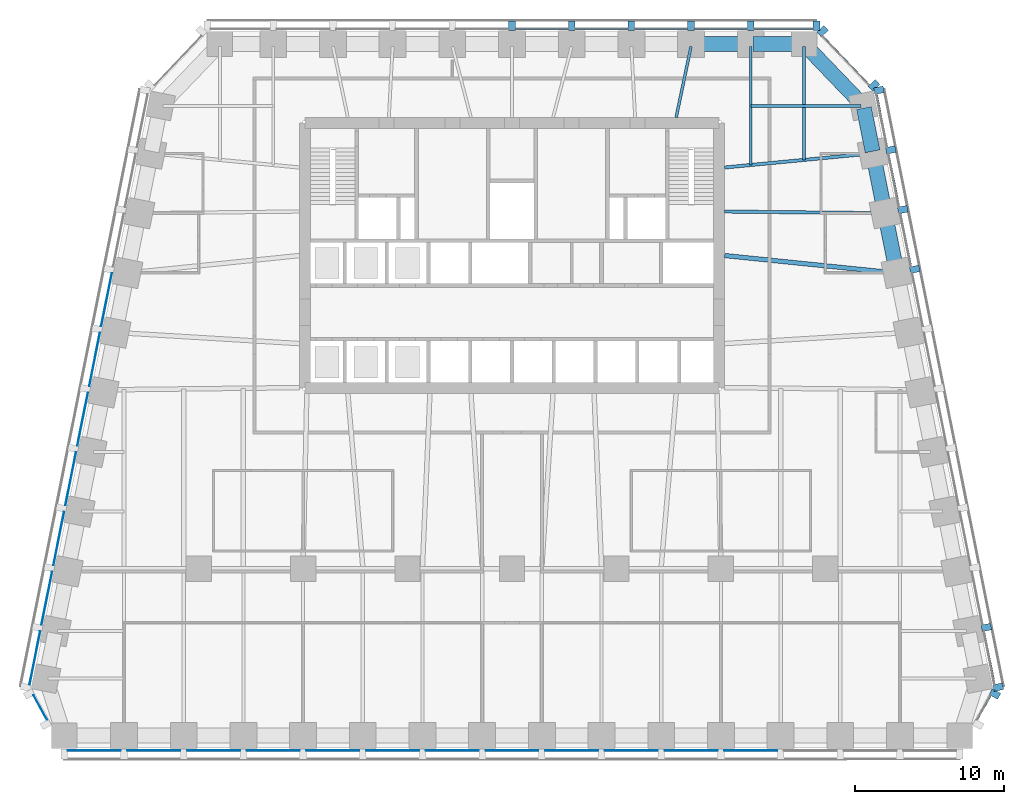
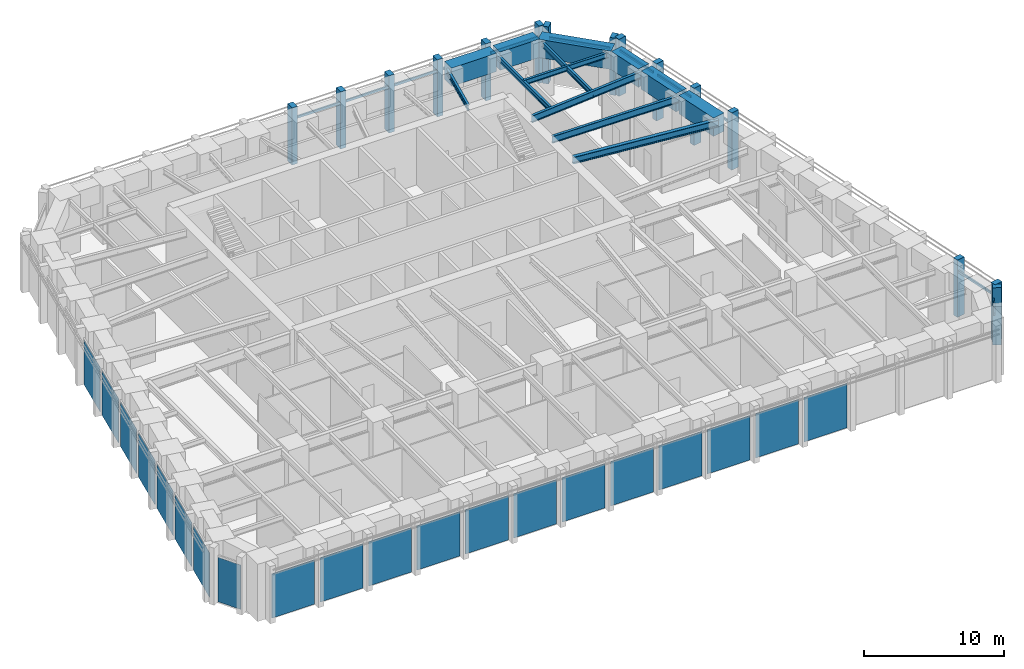
# One storey, part 4 of 11: 26 members, 20 plates, 13 beams, 7 elements without a shape of their own.
"""IFC4 building model written with IfcOpenShell, lengths in metres."""

from ifc_helpers import new_model, si_unit, direction, frame, origin, origin_2d, place, context, subcontext, project, spatial, rectangle, i_section, extrude, material, layer, layer_set, material_profile, profile_set, type_object, element, aggregate, save


model = new_model("IFC4")

# Units and contexts
model_context = context("Model", 3, precision=1e-05, world=origin(), true_north=direction((0.0, 1.0)))
body_context = subcontext(model_context, "Body", "Model", "MODEL_VIEW")
ifc_project = project(units=[si_unit("LENGTHUNIT", "METRE"), si_unit("AREAUNIT", "SQUARE_METRE"), si_unit("VOLUMEUNIT", "CUBIC_METRE"), si_unit("PLANEANGLEUNIT", "RADIAN"), si_unit("MASSUNIT", "GRAM", prefix="KILO")], contexts=[model_context])

# Site, building, storey
site_placement = place(None, origin())
site = spatial("IfcSite", under=ifc_project, at=site_placement, CompositionType="ELEMENT")
building_placement = place(site_placement, origin())
building = spatial("IfcBuilding", under=site, at=building_placement, Name="Isbrekke Arena Tower", CompositionType="ELEMENT")
storey_placement = place(building_placement, frame((0.0, 0.0, 98.0)))
storey = spatial("IfcBuildingStorey", under=building, at=storey_placement, Name="L21", CompositionType="ELEMENT", Elevation=98.0)

# Beams
ifc_material_1 = material(Name="Steel S355", Category="steel")
ifc_material_profile_1 = material_profile(ifc_material_1, i_section(OverallWidth=0.219970703125, OverallDepth=0.60009765625, WebThickness=0.011962890625, FlangeThickness=0.01904296875, FilletRadius=0.02392578125, at=origin_2d()), Name="IPE 600")
ifc_profile_set_1 = profile_set([ifc_material_profile_1], Name="Steel S355")
beam_type_1 = type_object("IfcBeamType", Name="B1 IPE 600", PredefinedType="BEAM", material=ifc_profile_set_1)
beam_1_placement = place(storey_placement, frame((24.83984375, 17.838134765625, 4.550048828125), z_axis=(-0.999944260169, 0.010558245831, 0.0), x_axis=(-0.010558245831, -0.999944260169, 0.0)))
element("IfcBeam", 1, at=beam_1_placement, inside=storey, type_object=beam_type_1, Name="B1 beam E-E09 L21", PredefinedType="BEAM", context=body_context, shape_type="SweptSolid", body=[
    extrude(i_section(OverallWidth=0.219970703125, OverallDepth=0.60009765625, WebThickness=0.011962890625, FlangeThickness=0.01904296875, FilletRadius=0.02392578125, at=origin_2d()), origin(), (0.0, 0.0, 1.0), 10.59033203125),
])
beam_2_placement = place(storey_placement, frame((24.030517578125, 21.837158203125, 4.550048828125), z_axis=(-0.995439798606, -0.095391862082, 0.0), x_axis=(0.095391862082, -0.995439798606, 0.0)))
element("IfcBeam", 2, at=beam_2_placement, inside=storey, type_object=beam_type_1, Name="B1 beam E-E10 L21", PredefinedType="BEAM", context=body_context, shape_type="SweptSolid", body=[
    extrude(i_section(OverallWidth=0.219970703125, OverallDepth=0.60009765625, WebThickness=0.011962890625, FlangeThickness=0.01904296875, FilletRadius=0.02392578125, at=origin_2d()), origin(), (0.0, 0.0, 1.0), 9.825439453125),
])
ifc_material_2 = material(Name="Steel S355", Category="steel")
ifc_material_profile_2 = material_profile(ifc_material_2, i_section(OverallWidth=0.18994140625, OverallDepth=0.449951171875, WebThickness=0.009521484375, FlangeThickness=0.0146484375, FilletRadius=0.02099609375, at=origin_2d()), Name="IPE 450")
ifc_profile_set_2 = profile_set([ifc_material_profile_2], Name="Steel S355")
beam_type_2 = type_object("IfcBeamType", Name="B2 IPE 450", PredefinedType="BEAM", material=ifc_profile_set_2)
beam_3_placement = place(storey_placement, frame((23.40283203125, 25.029296875, 4.625), z_axis=(-1.0, 0.0, 0.0), x_axis=(0.0, -1.0, 0.0)))
element("IfcBeam", 3, at=beam_3_placement, inside=storey, type_object=beam_type_2, Name="B2 beam E-E11 L21", PredefinedType="BEAM", context=body_context, shape_type="SweptSolid", body=[
    extrude(i_section(OverallWidth=0.18994140625, OverallDepth=0.449951171875, WebThickness=0.009521484375, FlangeThickness=0.0146484375, FilletRadius=0.02099609375, at=origin_2d()), origin(), (0.0, 0.0, 1.0), 7.40283203125),
])
ifc_material_3 = material(Name="Steel S355", Category="steel")
ifc_material_profile_3 = material_profile(ifc_material_3, i_section(OverallWidth=0.18994140625, OverallDepth=0.449951171875, WebThickness=0.009521484375, FlangeThickness=0.0146484375, FilletRadius=0.02099609375, at=origin_2d()), Name="IPE 450")
ifc_profile_set_3 = profile_set([ifc_material_profile_3], Name="Steel S355")
beam_type_3 = type_object("IfcBeamType", Name="B3 IPE 450", PredefinedType="BEAM", material=ifc_profile_set_3)
beam_4_placement = place(storey_placement, frame((19.574951171875, 29.02490234375, 4.625), z_axis=(0.0, -1.0, 0.0), x_axis=(1.0, 0.0, 0.0)))
element("IfcBeam", 4, at=beam_4_placement, inside=storey, type_object=beam_type_3, Name="B3 beam N-N01 L21", PredefinedType="BEAM", context=body_context, shape_type="SweptSolid", body=[
    extrude(i_section(OverallWidth=0.18994140625, OverallDepth=0.449951171875, WebThickness=0.009521484375, FlangeThickness=0.0146484375, FilletRadius=0.02099609375, at=origin_2d()), origin(), (0.0, 0.0, 1.0), 7.61474609375),
])
beam_5_placement = place(storey_placement, frame((16.0, 29.02490234375, 4.625), z_axis=(0.0, -1.0, 0.0), x_axis=(1.0, 0.0, 0.0)))
element("IfcBeam", 5, at=beam_5_placement, inside=storey, type_object=beam_type_3, Name="B3 beam N-N02 L21", PredefinedType="BEAM", context=body_context, shape_type="SweptSolid", body=[
    extrude(i_section(OverallWidth=0.18994140625, OverallDepth=0.449951171875, WebThickness=0.009521484375, FlangeThickness=0.0146484375, FilletRadius=0.02099609375, at=origin_2d()), origin(), (0.0, 0.0, 1.0), 7.957275390625),
])
beam_6_placement = place(storey_placement, frame((11.99609375, 29.005859375, 4.625), z_axis=(-0.20499748459, -0.978762499952, 0.0), x_axis=(0.978762499952, -0.20499748459, 0.0)))
element("IfcBeam", 6, at=beam_6_placement, inside=storey, type_object=beam_type_3, Name="B3 beam N-N03 L21", PredefinedType="BEAM", context=body_context, shape_type="SweptSolid", body=[
    extrude(i_section(OverallWidth=0.18994140625, OverallDepth=0.449951171875, WebThickness=0.009521484375, FlangeThickness=0.0146484375, FilletRadius=0.02099609375, at=origin_2d()), origin(), (0.0, 0.0, 1.0), 4.859130859375),
])
ifc_material_4 = material(Name="Steel S355", Category="steel")
ifc_material_profile_4 = material_profile(ifc_material_4, i_section(OverallWidth=0.300048828125, OverallDepth=0.60009765625, WebThickness=0.015380859375, FlangeThickness=0.030029296875, FilletRadius=0.027099609375, at=origin_2d()), Name="HEB 600")
ifc_profile_set_4 = profile_set([ifc_material_profile_4], Name="Steel S355")
beam_type_4 = type_object("IfcBeamType", Name="B7 HEB 600", PredefinedType="BEAM", material=ifc_profile_set_4)
beam_7_placement = place(storey_placement, frame((25.6259765625, 13.83984375, 4.550048828125), z_axis=(-0.994839949319, 0.10145676537, 0.0), x_axis=(-0.10145676537, -0.994839949319, 0.0)))
element("IfcBeam", 7, at=beam_7_placement, inside=storey, type_object=beam_type_4, Name="B7 beam E-E08 L21", PredefinedType="BEAM", context=body_context, shape_type="SweptSolid", body=[
    extrude(i_section(OverallWidth=0.300048828125, OverallDepth=0.60009765625, WebThickness=0.015380859375, FlangeThickness=0.030029296875, FilletRadius=0.027099609375, at=origin_2d()), origin(), (0.0, 0.0, 1.0), 11.43505859375),
])

# Curtain wall, member
ifc_material_5 = material(Name="Glazed aluminium curtain wall", Category="aluminium")
curtain_wall_type = type_object("IfcCurtainWallType", Name="CWS SKY LOBBY CURTAIN WALL", PredefinedType="USERDEFINED", material=ifc_material_5)
curtain_wall_1_placement = place(storey_placement, origin())
curtain_wall_1 = element("IfcCurtainWall", 8, at=curtain_wall_1_placement, inside=storey, type_object=curtain_wall_type, Name="CWS curtain wall L21-SE", ObjectType="SKY LOBBY CURTAIN WALL", PredefinedType="USERDEFINED")
ifc_material_6 = material(Name="Aluminium mullion, pale brick slip cladding", Category="masonry")
ifc_material_profile_5 = material_profile(ifc_material_6, rectangle(XDim=0.449951171875, YDim=0.64990234375, at=origin_2d()), Name="PIER 450X650")
ifc_profile_set_5 = profile_set([ifc_material_profile_5], Name="Aluminium mullion, pale brick slip cladding")
member_type_1 = type_object("IfcMemberType", Name="CWS-M PIER MULLION 450 x 650", PredefinedType="MULLION", material=ifc_profile_set_5)
member_1_placement = place(storey_placement, frame((32.36181640625, -14.3798828125, 0.0), z_axis=(0.0, 0.0, 1.0), x_axis=(0.481918749773, 0.876215908676, 0.0)))
member_1 = element("IfcMember", 9, at=member_1_placement, type_object=member_type_1, Name="CWS-M mullion 2", PredefinedType="MULLION", context=body_context, shape_type="SweptSolid", body=[
    extrude(rectangle(XDim=0.449951171875, YDim=0.64990234375, at=origin_2d()), origin(), (0.0, 0.0, 1.0), 5.0),
])

# Curtain wall, members
curtain_wall_2_placement = place(storey_placement, origin())
curtain_wall_2 = element("IfcCurtainWall", 10, at=curtain_wall_2_placement, inside=storey, type_object=curtain_wall_type, Name="CWS curtain wall L21-E", ObjectType="SKY LOBBY CURTAIN WALL", PredefinedType="USERDEFINED")
member_2_placement = place(storey_placement, frame((32.59228515625, -13.921630859375, 0.0), z_axis=(0.0, 0.0, 1.0), x_axis=(-0.196116135138, 0.980580675691, 0.0)))
member_2 = element("IfcMember", 11, at=member_2_placement, type_object=member_type_1, Name="CWS-M mullion 1", PredefinedType="MULLION", context=body_context, shape_type="SweptSolid", body=[
    extrude(rectangle(XDim=0.449951171875, YDim=0.64990234375, at=origin_2d()), origin(), (0.0, 0.0, 1.0), 5.0),
])
member_3_placement = place(storey_placement, frame((31.792236328125, -9.921630859375, 0.0), z_axis=(0.0, 0.0, 1.0), x_axis=(-0.196116135138, 0.980580675691, 0.0)))
member_3 = element("IfcMember", 12, at=member_3_placement, type_object=member_type_1, Name="CWS-M mullion 2", PredefinedType="MULLION", context=body_context, shape_type="SweptSolid", body=[
    extrude(rectangle(XDim=0.449951171875, YDim=0.64990234375, at=origin_2d()), origin(), (0.0, 0.0, 1.0), 5.0),
])
member_4_placement = place(storey_placement, frame((26.9921875, 14.078369140625, 0.0), z_axis=(0.0, 0.0, 1.0), x_axis=(-0.196116135138, 0.980580675691, 0.0)))
member_4 = element("IfcMember", 13, at=member_4_placement, type_object=member_type_1, Name="CWS-M mullion 8", PredefinedType="MULLION", context=body_context, shape_type="SweptSolid", body=[
    extrude(rectangle(XDim=0.449951171875, YDim=0.64990234375, at=origin_2d()), origin(), (0.0, 0.0, 1.0), 5.0),
])
member_5_placement = place(storey_placement, frame((26.192138671875, 18.078369140625, 0.0), z_axis=(0.0, 0.0, 1.0), x_axis=(-0.196116135138, 0.980580675691, 0.0)))
member_5 = element("IfcMember", 14, at=member_5_placement, type_object=member_type_1, Name="CWS-M mullion 9", PredefinedType="MULLION", context=body_context, shape_type="SweptSolid", body=[
    extrude(rectangle(XDim=0.449951171875, YDim=0.64990234375, at=origin_2d()), origin(), (0.0, 0.0, 1.0), 5.0),
])
member_6_placement = place(storey_placement, frame((25.392333984375, 22.078369140625, 0.0), z_axis=(0.0, 0.0, 1.0), x_axis=(-0.196116135138, 0.980580675691, 0.0)))
member_6 = element("IfcMember", 15, at=member_6_placement, type_object=member_type_1, Name="CWS-M mullion 10", PredefinedType="MULLION", context=body_context, shape_type="SweptSolid", body=[
    extrude(rectangle(XDim=0.449951171875, YDim=0.64990234375, at=origin_2d()), origin(), (0.0, 0.0, 1.0), 5.0),
])
member_7_placement = place(storey_placement, frame((24.59228515625, 26.078369140625, 0.0), z_axis=(0.0, 0.0, 1.0), x_axis=(-0.196116135138, 0.980580675691, 0.0)))
member_7 = element("IfcMember", 16, at=member_7_placement, type_object=member_type_1, Name="CWS-M mullion 11", PredefinedType="MULLION", context=body_context, shape_type="SweptSolid", body=[
    extrude(rectangle(XDim=0.449951171875, YDim=0.64990234375, at=origin_2d()), origin(), (0.0, 0.0, 1.0), 5.0),
])

curtain_wall_3_placement = place(storey_placement, origin())
curtain_wall_3 = element("IfcCurtainWall", 17, at=curtain_wall_3_placement, inside=storey, type_object=curtain_wall_type, Name="CWS curtain wall L21-EN", ObjectType="SKY LOBBY CURTAIN WALL", PredefinedType="USERDEFINED")
member_8_placement = place(storey_placement, frame((24.2626953125, 26.406005859375, 0.0), z_axis=(0.0, 0.0, 1.0), x_axis=(-0.68874946192, 0.72499943359, 0.0)))
member_8 = element("IfcMember", 18, at=member_8_placement, type_object=member_type_1, Name="CWS-M mullion 1", PredefinedType="MULLION", context=body_context, shape_type="SweptSolid", body=[
    extrude(rectangle(XDim=0.449951171875, YDim=0.64990234375, at=origin_2d()), origin(), (0.0, 0.0, 1.0), 5.0),
])
member_9_placement = place(storey_placement, frame((20.813232421875, 30.036865234375, 0.0), z_axis=(0.0, 0.0, 1.0), x_axis=(-0.68874946192, 0.72499943359, 0.0)))
member_9 = element("IfcMember", 19, at=member_9_placement, type_object=member_type_1, Name="CWS-M mullion 2", PredefinedType="MULLION", context=body_context, shape_type="SweptSolid", body=[
    extrude(rectangle(XDim=0.449951171875, YDim=0.64990234375, at=origin_2d()), origin(), (0.0, 0.0, 1.0), 5.0),
])

curtain_wall_4_placement = place(storey_placement, origin())
curtain_wall_4 = element("IfcCurtainWall", 20, at=curtain_wall_4_placement, inside=storey, type_object=curtain_wall_type, Name="CWS curtain wall L21-N", ObjectType="SKY LOBBY CURTAIN WALL", PredefinedType="USERDEFINED")
member_10_placement = place(storey_placement, frame((20.39990234375, 30.39990234375, 0.0), z_axis=(0.0, 0.0, 1.0), x_axis=(-1.0, 0.0, 0.0)))
member_10 = element("IfcMember", 21, at=member_10_placement, type_object=member_type_1, Name="CWS-M mullion 1", PredefinedType="MULLION", context=body_context, shape_type="SweptSolid", body=[
    extrude(rectangle(XDim=0.449951171875, YDim=0.64990234375, at=origin_2d()), origin(), (0.0, 0.0, 1.0), 5.0),
])
member_11_placement = place(storey_placement, frame((16.0, 30.39990234375, 0.0), z_axis=(0.0, 0.0, 1.0), x_axis=(-1.0, 0.0, 0.0)))
member_11 = element("IfcMember", 22, at=member_11_placement, type_object=member_type_1, Name="CWS-M mullion 2", PredefinedType="MULLION", context=body_context, shape_type="SweptSolid", body=[
    extrude(rectangle(XDim=0.449951171875, YDim=0.64990234375, at=origin_2d()), origin(), (0.0, 0.0, 1.0), 5.0),
])
member_12_placement = place(storey_placement, frame((12.0, 30.39990234375, 0.0), z_axis=(0.0, 0.0, 1.0), x_axis=(-1.0, 0.0, 0.0)))
member_12 = element("IfcMember", 23, at=member_12_placement, type_object=member_type_1, Name="CWS-M mullion 3", PredefinedType="MULLION", context=body_context, shape_type="SweptSolid", body=[
    extrude(rectangle(XDim=0.449951171875, YDim=0.64990234375, at=origin_2d()), origin(), (0.0, 0.0, 1.0), 5.0),
])
member_13_placement = place(storey_placement, frame((8.0, 30.39990234375, 0.0), z_axis=(0.0, 0.0, 1.0), x_axis=(-1.0, 0.0, 0.0)))
member_13 = element("IfcMember", 24, at=member_13_placement, type_object=member_type_1, Name="CWS-M mullion 4", PredefinedType="MULLION", context=body_context, shape_type="SweptSolid", body=[
    extrude(rectangle(XDim=0.449951171875, YDim=0.64990234375, at=origin_2d()), origin(), (0.0, 0.0, 1.0), 5.0),
])
member_14_placement = place(storey_placement, frame((4.0, 30.39990234375, 0.0), z_axis=(0.0, 0.0, 1.0), x_axis=(-1.0, 0.0, 0.0)))
member_14 = element("IfcMember", 25, at=member_14_placement, type_object=member_type_1, Name="CWS-M mullion 5", PredefinedType="MULLION", context=body_context, shape_type="SweptSolid", body=[
    extrude(rectangle(XDim=0.449951171875, YDim=0.64990234375, at=origin_2d()), origin(), (0.0, 0.0, 1.0), 5.0),
])
member_15_placement = place(storey_placement, frame((0.0, 30.39990234375, 0.0), z_axis=(0.0, 0.0, 1.0), x_axis=(-1.0, 0.0, 0.0)))
member_15 = element("IfcMember", 26, at=member_15_placement, type_object=member_type_1, Name="CWS-M mullion 6", PredefinedType="MULLION", context=body_context, shape_type="SweptSolid", body=[
    extrude(rectangle(XDim=0.449951171875, YDim=0.64990234375, at=origin_2d()), origin(), (0.0, 0.0, 1.0), 5.0),
])

# Member
ifc_material_7 = material(Name="Aluminium transom", Category="aluminium")
ifc_material_profile_6 = material_profile(ifc_material_7, rectangle(XDim=0.1201171875, YDim=0.199951171875, at=origin_2d()), Name="TRANSOM 120X200")
ifc_profile_set_6 = profile_set([ifc_material_profile_6], Name="Aluminium transom")
member_type_2 = type_object("IfcMemberType", Name="CWS-T TRANSOM 120 x 200", PredefinedType="USERDEFINED", material=ifc_profile_set_6)
member_16_placement = place(storey_placement, frame((31.152099609375, -16.112548828125, 4.0), z_axis=(0.482003669577, 0.876169197424, 0.0), x_axis=(-0.876169197424, 0.482003669577, 0.0)))
member_16 = element("IfcMember", 27, at=member_16_placement, type_object=member_type_2, Name="CWS-T transom 1", ObjectType="TRANSOM", PredefinedType="USERDEFINED", context=body_context, shape_type="SweptSolid", body=[
    extrude(rectangle(XDim=0.1201171875, YDim=0.199951171875, at=origin_2d()), origin(), (0.0, 0.0, 1.0), 1.876220703125),
])

aggregate(curtain_wall_1, [member_1, member_16])

member_17_placement = place(storey_placement, frame((32.327392578125, -13.7451171875, 4.0), z_axis=(-0.196090262229, 0.980585849918, 0.0), x_axis=(-0.980585849918, -0.196090262229, 0.0)))
member_17 = element("IfcMember", 28, at=member_17_placement, type_object=member_type_2, Name="CWS-T transom 1", ObjectType="TRANSOM", PredefinedType="USERDEFINED", context=body_context, shape_type="SweptSolid", body=[
    extrude(rectangle(XDim=0.1201171875, YDim=0.199951171875, at=origin_2d()), origin(), (0.0, 0.0, 1.0), 3.62939453125),
])

member_18_placement = place(storey_placement, frame((26.7275390625, 14.2548828125, 4.0), z_axis=(-0.196154943734, 0.980572913173, 0.0), x_axis=(-0.980572913173, -0.196154943734, 0.0)))
member_18 = element("IfcMember", 29, at=member_18_placement, type_object=member_type_2, Name="CWS-T transom 8", ObjectType="TRANSOM", PredefinedType="USERDEFINED", context=body_context, shape_type="SweptSolid", body=[
    extrude(rectangle(XDim=0.1201171875, YDim=0.199951171875, at=origin_2d()), origin(), (0.0, 0.0, 1.0), 3.62939453125),
])

member_19_placement = place(storey_placement, frame((25.927490234375, 18.2548828125, 4.0), z_axis=(-0.196090262229, 0.980585849918, 0.0), x_axis=(-0.980585849918, -0.196090262229, 0.0)))
member_19 = element("IfcMember", 30, at=member_19_placement, type_object=member_type_2, Name="CWS-T transom 9", ObjectType="TRANSOM", PredefinedType="USERDEFINED", context=body_context, shape_type="SweptSolid", body=[
    extrude(rectangle(XDim=0.1201171875, YDim=0.199951171875, at=origin_2d()), origin(), (0.0, 0.0, 1.0), 3.62939453125),
])

member_20_placement = place(storey_placement, frame((25.12744140625, 22.2548828125, 4.0), z_axis=(-0.196090262229, 0.980585849918, 0.0), x_axis=(-0.980585849918, -0.196090262229, 0.0)))
member_20 = element("IfcMember", 31, at=member_20_placement, type_object=member_type_2, Name="CWS-T transom 10", ObjectType="TRANSOM", PredefinedType="USERDEFINED", context=body_context, shape_type="SweptSolid", body=[
    extrude(rectangle(XDim=0.1201171875, YDim=0.199951171875, at=origin_2d()), origin(), (0.0, 0.0, 1.0), 3.62939453125),
])

aggregate(curtain_wall_2, [member_2, member_3, member_4, member_5, member_6, member_7, member_17, member_18, member_19, member_20])

member_21_placement = place(storey_placement, frame((23.944580078125, 26.4140625, 4.0), z_axis=(-0.688771983213, 0.724978037696, 0.0), x_axis=(-0.724978037696, -0.688771983213, 0.0)))
member_21 = element("IfcMember", 32, at=member_21_placement, type_object=member_type_2, Name="CWS-T transom 1", ObjectType="TRANSOM", PredefinedType="USERDEFINED", context=body_context, shape_type="SweptSolid", body=[
    extrude(rectangle(XDim=0.1201171875, YDim=0.199951171875, at=origin_2d()), origin(), (0.0, 0.0, 1.0), 4.558349609375),
])

aggregate(curtain_wall_3, [member_8, member_9, member_21])

member_22_placement = place(storey_placement, frame((20.175048828125, 30.175048828125, 4.0), z_axis=(-1.0, 0.0, 0.0), x_axis=(0.0, -1.0, 0.0)))
member_22 = element("IfcMember", 33, at=member_22_placement, type_object=member_type_2, Name="CWS-T transom 1", ObjectType="TRANSOM", PredefinedType="USERDEFINED", context=body_context, shape_type="SweptSolid", body=[
    extrude(rectangle(XDim=0.1201171875, YDim=0.199951171875, at=origin_2d()), origin(), (0.0, 0.0, 1.0), 3.949951171875),
])

member_23_placement = place(storey_placement, frame((15.77490234375, 30.175048828125, 4.0), z_axis=(-1.0, 0.0, 0.0), x_axis=(0.0, -1.0, 0.0)))
member_23 = element("IfcMember", 34, at=member_23_placement, type_object=member_type_2, Name="CWS-T transom 2", ObjectType="TRANSOM", PredefinedType="USERDEFINED", context=body_context, shape_type="SweptSolid", body=[
    extrude(rectangle(XDim=0.1201171875, YDim=0.199951171875, at=origin_2d()), origin(), (0.0, 0.0, 1.0), 3.5498046875),
])

member_24_placement = place(storey_placement, frame((11.77490234375, 30.175048828125, 4.0), z_axis=(-1.0, 0.0, 0.0), x_axis=(0.0, -1.0, 0.0)))
member_24 = element("IfcMember", 35, at=member_24_placement, type_object=member_type_2, Name="CWS-T transom 3", ObjectType="TRANSOM", PredefinedType="USERDEFINED", context=body_context, shape_type="SweptSolid", body=[
    extrude(rectangle(XDim=0.1201171875, YDim=0.199951171875, at=origin_2d()), origin(), (0.0, 0.0, 1.0), 3.5498046875),
])

member_25_placement = place(storey_placement, frame((7.77490234375, 30.175048828125, 4.0), z_axis=(-1.0, 0.0, 0.0), x_axis=(0.0, -1.0, 0.0)))
member_25 = element("IfcMember", 36, at=member_25_placement, type_object=member_type_2, Name="CWS-T transom 4", ObjectType="TRANSOM", PredefinedType="USERDEFINED", context=body_context, shape_type="SweptSolid", body=[
    extrude(rectangle(XDim=0.1201171875, YDim=0.199951171875, at=origin_2d()), origin(), (0.0, 0.0, 1.0), 3.5498046875),
])

member_26_placement = place(storey_placement, frame((3.77490234375, 30.175048828125, 4.0), z_axis=(-1.0, 0.0, 0.0), x_axis=(0.0, -1.0, 0.0)))
member_26 = element("IfcMember", 37, at=member_26_placement, type_object=member_type_2, Name="CWS-T transom 5", ObjectType="TRANSOM", PredefinedType="USERDEFINED", context=body_context, shape_type="SweptSolid", body=[
    extrude(rectangle(XDim=0.1201171875, YDim=0.199951171875, at=origin_2d()), origin(), (0.0, 0.0, 1.0), 3.5498046875),
])

aggregate(curtain_wall_4, [member_10, member_11, member_12, member_13, member_14, member_15, member_22, member_23, member_24, member_25, member_26])

# Beams
ifc_material_8 = material(Name="Concrete B80 (C80/95)", Category="concrete")
ifc_material_profile_7 = material_profile(ifc_material_8, rectangle(XDim=1.0, YDim=1.60009765625, at=origin_2d()), Name="RC 1000x1600")
ifc_profile_set_7 = profile_set([ifc_material_profile_7], Name="Concrete B80 (C80/95)")
beam_type_5 = type_object("IfcBeamType", Name="SB2 RC 1000 x 1600", PredefinedType="SPANDREL", material=ifc_profile_set_7)
for number, where, z_axis, x_axis, name in (
    (38, (25.76171875, 13.9853515625, 4.199951171875), (-0.196128558387, 0.980578190959, 0.0), (-0.980578190959, -0.196128558387, 0.0), "SB2 spandrel E08-E09 L21"),
    (39, (24.961669921875, 17.9853515625, 4.199951171875), (-0.196128558387, 0.980578190959, 0.0), (-0.980578190959, -0.196128558387, 0.0), "SB2 spandrel E09-E10 L21"),
):
    element("IfcBeam", number, at=place(storey_placement, frame(where, z_axis=z_axis, x_axis=x_axis)), inside=storey, type_object=beam_type_5, Name=name, PredefinedType="SPANDREL", context=body_context, shape_type="SweptSolid", body=[
        extrude(rectangle(XDim=1.0, YDim=1.60009765625, at=origin_2d()), origin(), (0.0, 0.0, 1.0), 3.779296875),
    ])
beam_8_placement = place(storey_placement, frame((24.16162109375, 21.9853515625, 4.199951171875), z_axis=(-0.196116135138, 0.980580675691, 0.0), x_axis=(-0.980580675691, -0.196116135138, 0.0)))
element("IfcBeam", 40, at=beam_8_placement, inside=storey, type_object=beam_type_5, Name="SB2 spandrel E10-E11 L21", PredefinedType="SPANDREL", context=body_context, shape_type="SweptSolid", body=[
    extrude(rectangle(XDim=1.0, YDim=1.60009765625, at=origin_2d()), origin(), (0.0, 0.0, 1.0), 2.9541015625),
])
beam_9_placement = place(storey_placement, frame((23.448974609375, 25.137451171875, 4.199951171875), z_axis=(-0.692339547635, 0.721571861134, 0.0), x_axis=(-0.721571861134, -0.692339547635, 0.0)))
element("IfcBeam", 41, at=beam_9_placement, inside=storey, type_object=beam_type_5, Name="SB2 spandrel E11-N01 L21", PredefinedType="SPANDREL", context=body_context, shape_type="SweptSolid", body=[
    extrude(rectangle(XDim=1.0, YDim=1.60009765625, at=origin_2d()), origin(), (0.0, 0.0, 1.0), 5.4453125),
])
beam_10_placement = place(storey_placement, frame((19.425048828125, 29.175048828125, 4.199951171875), z_axis=(-1.0, 0.0, 0.0), x_axis=(0.0, -1.0, 0.0)))
element("IfcBeam", 42, at=beam_10_placement, inside=storey, type_object=beam_type_5, Name="SB2 spandrel N01-N02 L21", PredefinedType="SPANDREL", context=body_context, shape_type="SweptSolid", body=[
    extrude(rectangle(XDim=1.0, YDim=1.60009765625, at=origin_2d()), origin(), (0.0, 0.0, 1.0), 3.275146484375),
])
beam_11_placement = place(storey_placement, frame((15.85009765625, 29.175048828125, 4.199951171875), z_axis=(-1.0, 0.0, 0.0), x_axis=(0.0, -1.0, 0.0)))
element("IfcBeam", 43, at=beam_11_placement, inside=storey, type_object=beam_type_5, Name="SB2 spandrel N02-N03 L21", PredefinedType="SPANDREL", context=body_context, shape_type="SweptSolid", body=[
    extrude(rectangle(XDim=1.0, YDim=1.60009765625, at=origin_2d()), origin(), (0.0, 0.0, 1.0), 3.7001953125),
])

# Curtain wall, plates
curtain_wall_5_placement = place(storey_placement, origin())
curtain_wall_5 = element("IfcCurtainWall", 44, at=curtain_wall_5_placement, inside=storey, type_object=curtain_wall_type, Name="CWS curtain wall L21-S", ObjectType="SKY LOBBY CURTAIN WALL", PredefinedType="USERDEFINED")
ifc_material_9 = material(Name="Triple-glazed clear glass unit", Category="glass")
ifc_layer = layer(ifc_material_9, 0.031982421875)
ifc_layer_set = layer_set([ifc_layer], Name="CWS-P VISION PANEL")
plate_type = type_object("IfcPlateType", Name="CWS-P VISION PANEL", PredefinedType="CURTAIN_PANEL", material=ifc_layer_set)
plate_1_placement = place(storey_placement, frame((-28.0, -18.175048828125, 0.02001953125), z_axis=(0.0, 0.0, 1.0), x_axis=(1.0, 0.0, 0.0)))
plate_1 = element("IfcPlate", 45, at=plate_1_placement, type_object=plate_type, Name="CWS-P panel 1", PredefinedType="CURTAIN_PANEL", context=body_context, shape_type="SweptSolid", body=[
    extrude(rectangle(XDim=3.550048828125, YDim=0.031982421875, at=origin_2d()), origin(), (0.0, 0.0, 1.0), 3.8798828125),
])
plate_2_placement = place(storey_placement, frame((-24.0, -18.175048828125, 0.02001953125), z_axis=(0.0, 0.0, 1.0), x_axis=(1.0, 0.0, 0.0)))
plate_2 = element("IfcPlate", 46, at=plate_2_placement, type_object=plate_type, Name="CWS-P panel 2", PredefinedType="CURTAIN_PANEL", context=body_context, shape_type="SweptSolid", body=[
    extrude(rectangle(XDim=3.550048828125, YDim=0.031982421875, at=origin_2d()), origin(), (0.0, 0.0, 1.0), 3.8798828125),
])
plate_3_placement = place(storey_placement, frame((-20.0, -18.175048828125, 0.02001953125), z_axis=(0.0, 0.0, 1.0), x_axis=(1.0, 0.0, 0.0)))
plate_3 = element("IfcPlate", 47, at=plate_3_placement, type_object=plate_type, Name="CWS-P panel 3", PredefinedType="CURTAIN_PANEL", context=body_context, shape_type="SweptSolid", body=[
    extrude(rectangle(XDim=3.550048828125, YDim=0.031982421875, at=origin_2d()), origin(), (0.0, 0.0, 1.0), 3.8798828125),
])
plate_4_placement = place(storey_placement, frame((-16.0, -18.175048828125, 0.02001953125), z_axis=(0.0, 0.0, 1.0), x_axis=(1.0, 0.0, 0.0)))
plate_4 = element("IfcPlate", 48, at=plate_4_placement, type_object=plate_type, Name="CWS-P panel 4", PredefinedType="CURTAIN_PANEL", context=body_context, shape_type="SweptSolid", body=[
    extrude(rectangle(XDim=3.550048828125, YDim=0.031982421875, at=origin_2d()), origin(), (0.0, 0.0, 1.0), 3.8798828125),
])
plate_5_placement = place(storey_placement, frame((-12.0, -18.175048828125, 0.02001953125), z_axis=(0.0, 0.0, 1.0), x_axis=(1.0, 0.0, 0.0)))
plate_5 = element("IfcPlate", 49, at=plate_5_placement, type_object=plate_type, Name="CWS-P panel 5", PredefinedType="CURTAIN_PANEL", context=body_context, shape_type="SweptSolid", body=[
    extrude(rectangle(XDim=3.550048828125, YDim=0.031982421875, at=origin_2d()), origin(), (0.0, 0.0, 1.0), 3.8798828125),
])
plate_6_placement = place(storey_placement, frame((-8.0, -18.175048828125, 0.02001953125), z_axis=(0.0, 0.0, 1.0), x_axis=(1.0, 0.0, 0.0)))
plate_6 = element("IfcPlate", 50, at=plate_6_placement, type_object=plate_type, Name="CWS-P panel 6", PredefinedType="CURTAIN_PANEL", context=body_context, shape_type="SweptSolid", body=[
    extrude(rectangle(XDim=3.550048828125, YDim=0.031982421875, at=origin_2d()), origin(), (0.0, 0.0, 1.0), 3.8798828125),
])
plate_7_placement = place(storey_placement, frame((-4.0, -18.175048828125, 0.02001953125), z_axis=(0.0, 0.0, 1.0), x_axis=(1.0, 0.0, 0.0)))
plate_7 = element("IfcPlate", 51, at=plate_7_placement, type_object=plate_type, Name="CWS-P panel 7", PredefinedType="CURTAIN_PANEL", context=body_context, shape_type="SweptSolid", body=[
    extrude(rectangle(XDim=3.550048828125, YDim=0.031982421875, at=origin_2d()), origin(), (0.0, 0.0, 1.0), 3.8798828125),
])
plate_8_placement = place(storey_placement, frame((0.0, -18.175048828125, 0.02001953125), z_axis=(0.0, 0.0, 1.0), x_axis=(1.0, 0.0, 0.0)))
plate_8 = element("IfcPlate", 52, at=plate_8_placement, type_object=plate_type, Name="CWS-P panel 8", PredefinedType="CURTAIN_PANEL", context=body_context, shape_type="SweptSolid", body=[
    extrude(rectangle(XDim=3.550048828125, YDim=0.031982421875, at=origin_2d()), origin(), (0.0, 0.0, 1.0), 3.8798828125),
])
plate_9_placement = place(storey_placement, frame((4.0, -18.175048828125, 0.02001953125), z_axis=(0.0, 0.0, 1.0), x_axis=(1.0, 0.0, 0.0)))
plate_9 = element("IfcPlate", 53, at=plate_9_placement, type_object=plate_type, Name="CWS-P panel 9", PredefinedType="CURTAIN_PANEL", context=body_context, shape_type="SweptSolid", body=[
    extrude(rectangle(XDim=3.550048828125, YDim=0.031982421875, at=origin_2d()), origin(), (0.0, 0.0, 1.0), 3.8798828125),
])
plate_10_placement = place(storey_placement, frame((8.0, -18.175048828125, 0.02001953125), z_axis=(0.0, 0.0, 1.0), x_axis=(1.0, 0.0, 0.0)))
plate_10 = element("IfcPlate", 54, at=plate_10_placement, type_object=plate_type, Name="CWS-P panel 10", PredefinedType="CURTAIN_PANEL", context=body_context, shape_type="SweptSolid", body=[
    extrude(rectangle(XDim=3.550048828125, YDim=0.031982421875, at=origin_2d()), origin(), (0.0, 0.0, 1.0), 3.8798828125),
])
plate_11_placement = place(storey_placement, frame((12.0, -18.175048828125, 0.02001953125), z_axis=(0.0, 0.0, 1.0), x_axis=(1.0, 0.0, 0.0)))
plate_11 = element("IfcPlate", 55, at=plate_11_placement, type_object=plate_type, Name="CWS-P panel 11", PredefinedType="CURTAIN_PANEL", context=body_context, shape_type="SweptSolid", body=[
    extrude(rectangle(XDim=3.550048828125, YDim=0.031982421875, at=origin_2d()), origin(), (0.0, 0.0, 1.0), 3.8798828125),
])
plate_12_placement = place(storey_placement, frame((16.0, -18.175048828125, 0.02001953125), z_axis=(0.0, 0.0, 1.0), x_axis=(1.0, 0.0, 0.0)))
plate_12 = element("IfcPlate", 56, at=plate_12_placement, type_object=plate_type, Name="CWS-P panel 12", PredefinedType="CURTAIN_PANEL", context=body_context, shape_type="SweptSolid", body=[
    extrude(rectangle(XDim=3.550048828125, YDim=0.031982421875, at=origin_2d()), origin(), (0.0, 0.0, 1.0), 3.8798828125),
])
aggregate(curtain_wall_5, [plate_1, plate_2, plate_3, plate_4, plate_5, plate_6, plate_7, plate_8, plate_9, plate_10, plate_11, plate_12])

curtain_wall_6_placement = place(storey_placement, origin())
curtain_wall_6 = element("IfcCurtainWall", 57, at=curtain_wall_6_placement, inside=storey, type_object=curtain_wall_type, Name="CWS curtain wall L21-W", ObjectType="SKY LOBBY CURTAIN WALL", PredefinedType="USERDEFINED")
plate_13_placement = place(storey_placement, frame((-27.171630859375, 12.034423828125, 0.02001953125), z_axis=(0.0, 0.0, 1.0), x_axis=(-0.196116135138, -0.980580675691, 0.0)))
plate_13 = element("IfcPlate", 58, at=plate_13_placement, type_object=plate_type, Name="CWS-P panel 4", PredefinedType="CURTAIN_PANEL", context=body_context, shape_type="SweptSolid", body=[
    extrude(rectangle(XDim=3.629150390625, YDim=0.031982421875, at=origin_2d()), origin(), (0.0, 0.0, 1.0), 3.8798828125),
])
plate_14_placement = place(storey_placement, frame((-27.9716796875, 8.034423828125, 0.02001953125), z_axis=(0.0, 0.0, 1.0), x_axis=(-0.196116135138, -0.980580675691, 0.0)))
plate_14 = element("IfcPlate", 59, at=plate_14_placement, type_object=plate_type, Name="CWS-P panel 5", PredefinedType="CURTAIN_PANEL", context=body_context, shape_type="SweptSolid", body=[
    extrude(rectangle(XDim=3.629150390625, YDim=0.031982421875, at=origin_2d()), origin(), (0.0, 0.0, 1.0), 3.8798828125),
])
plate_15_placement = place(storey_placement, frame((-28.771484375, 4.034423828125, 0.02001953125), z_axis=(0.0, 0.0, 1.0), x_axis=(-0.196116135138, -0.980580675691, 0.0)))
plate_15 = element("IfcPlate", 60, at=plate_15_placement, type_object=plate_type, Name="CWS-P panel 6", PredefinedType="CURTAIN_PANEL", context=body_context, shape_type="SweptSolid", body=[
    extrude(rectangle(XDim=3.629150390625, YDim=0.031982421875, at=origin_2d()), origin(), (0.0, 0.0, 1.0), 3.8798828125),
])
plate_16_placement = place(storey_placement, frame((-29.571533203125, 0.034423828125, 0.02001953125), z_axis=(0.0, 0.0, 1.0), x_axis=(-0.196116135138, -0.980580675691, 0.0)))
plate_16 = element("IfcPlate", 61, at=plate_16_placement, type_object=plate_type, Name="CWS-P panel 7", PredefinedType="CURTAIN_PANEL", context=body_context, shape_type="SweptSolid", body=[
    extrude(rectangle(XDim=3.629150390625, YDim=0.031982421875, at=origin_2d()), origin(), (0.0, 0.0, 1.0), 3.8798828125),
])
plate_17_placement = place(storey_placement, frame((-30.37158203125, -3.965576171875, 0.02001953125), z_axis=(0.0, 0.0, 1.0), x_axis=(-0.196116135138, -0.980580675691, 0.0)))
plate_17 = element("IfcPlate", 62, at=plate_17_placement, type_object=plate_type, Name="CWS-P panel 8", PredefinedType="CURTAIN_PANEL", context=body_context, shape_type="SweptSolid", body=[
    extrude(rectangle(XDim=3.629150390625, YDim=0.031982421875, at=origin_2d()), origin(), (0.0, 0.0, 1.0), 3.8798828125),
])
plate_18_placement = place(storey_placement, frame((-31.171630859375, -7.965576171875, 0.02001953125), z_axis=(0.0, 0.0, 1.0), x_axis=(-0.196116135138, -0.980580675691, 0.0)))
plate_18 = element("IfcPlate", 63, at=plate_18_placement, type_object=plate_type, Name="CWS-P panel 9", PredefinedType="CURTAIN_PANEL", context=body_context, shape_type="SweptSolid", body=[
    extrude(rectangle(XDim=3.629150390625, YDim=0.031982421875, at=origin_2d()), origin(), (0.0, 0.0, 1.0), 3.8798828125),
])
plate_19_placement = place(storey_placement, frame((-31.9716796875, -11.965576171875, 0.02001953125), z_axis=(0.0, 0.0, 1.0), x_axis=(-0.196116135138, -0.980580675691, 0.0)))
plate_19 = element("IfcPlate", 64, at=plate_19_placement, type_object=plate_type, Name="CWS-P panel 10", PredefinedType="CURTAIN_PANEL", context=body_context, shape_type="SweptSolid", body=[
    extrude(rectangle(XDim=3.629150390625, YDim=0.031982421875, at=origin_2d()), origin(), (0.0, 0.0, 1.0), 3.8798828125),
])
aggregate(curtain_wall_6, [plate_13, plate_14, plate_15, plate_16, plate_17, plate_18, plate_19])

# Curtain wall, plate
curtain_wall_7_placement = place(storey_placement, origin())
curtain_wall_7 = element("IfcCurtainWall", 65, at=curtain_wall_7_placement, inside=storey, type_object=curtain_wall_type, Name="CWS curtain wall L21-WS", ObjectType="SKY LOBBY CURTAIN WALL", PredefinedType="USERDEFINED")
plate_20_placement = place(storey_placement, frame((-31.60400390625, -15.291015625, 0.02001953125), z_axis=(0.0, 0.0, 1.0), x_axis=(0.481918749773, -0.876215908676, 0.0)))
plate_20 = element("IfcPlate", 66, at=plate_20_placement, type_object=plate_type, Name="CWS-P panel 1", PredefinedType="CURTAIN_PANEL", context=body_context, shape_type="SweptSolid", body=[
    extrude(rectangle(XDim=1.878173828125, YDim=0.031982421875, at=origin_2d()), origin(), (0.0, 0.0, 1.0), 3.8798828125),
])
aggregate(curtain_wall_7, [plate_20])

save(model, "model.ifc")
